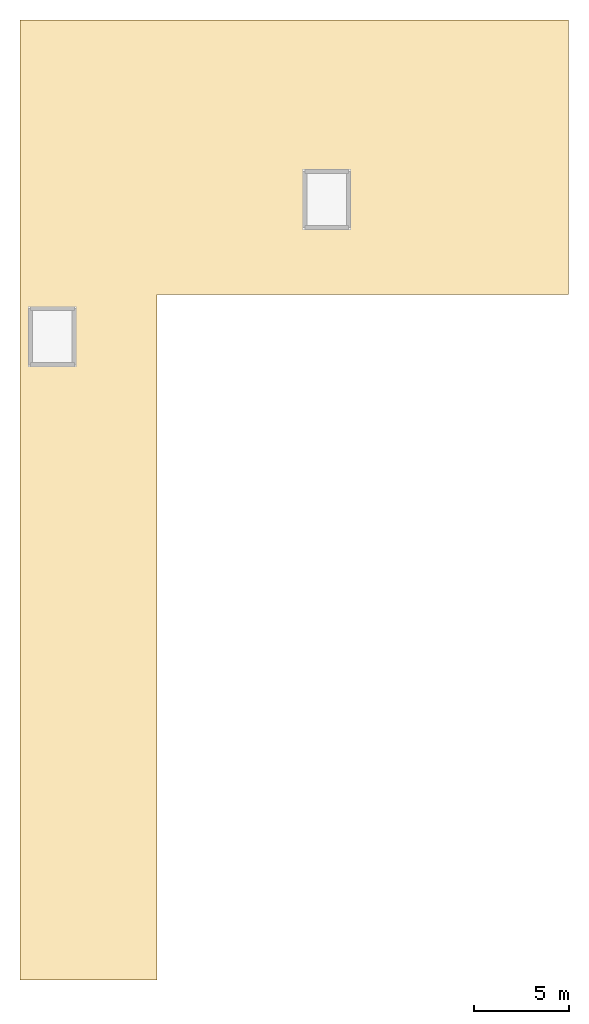
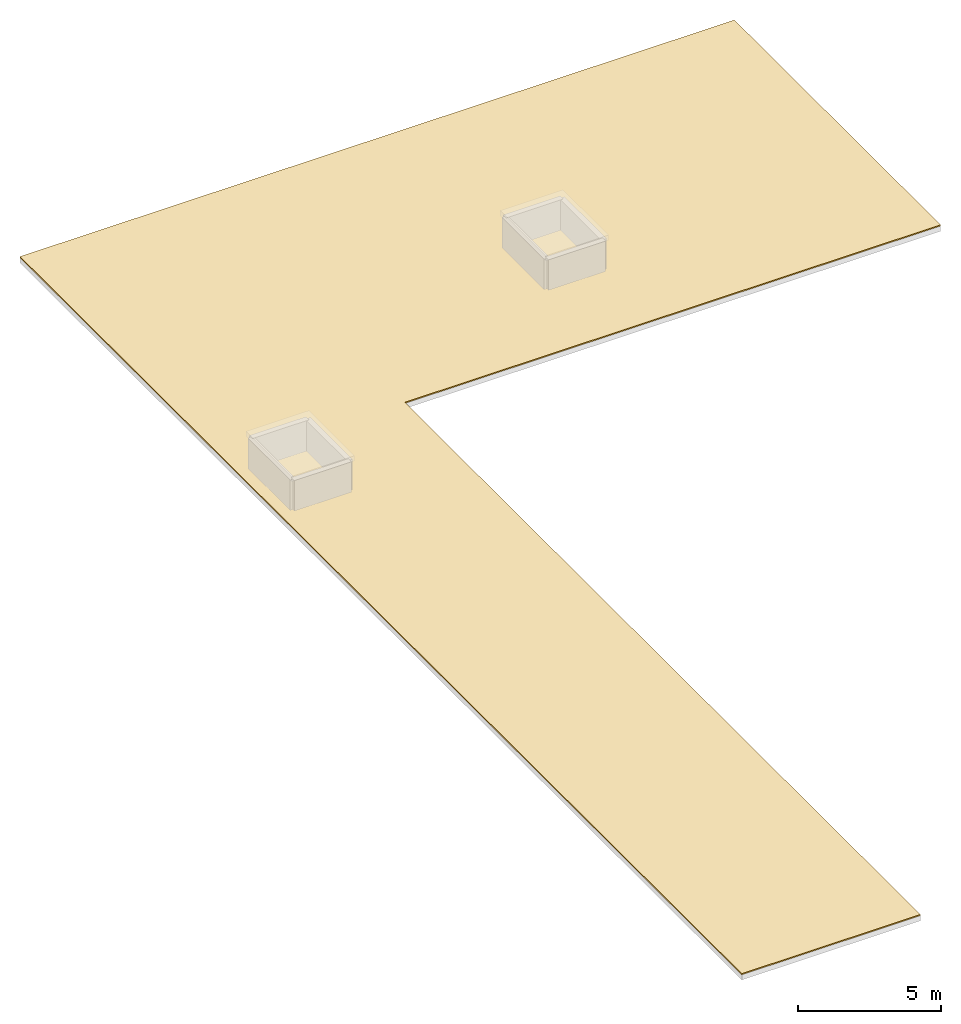
# One storey, part 2 of 2: 1 covering.
"""IFC4 building model written with IfcOpenShell, lengths in metres."""

from ifc_helpers import new_model, si_unit, direction, frame, origin, place, context, subcontext, project, spatial, polyline, outline, extrude, material, layer, layer_set, type_object, element, save


model = new_model("IFC4")

# Units and contexts
model_context = context("Model", 3, precision=1e-05, world=origin(), true_north=direction((0.0, 1.0)))
body_context = subcontext(model_context, "Body", "Model", "MODEL_VIEW")
ifc_project = project(units=[si_unit("LENGTHUNIT", "METRE"), si_unit("AREAUNIT", "SQUARE_METRE"), si_unit("VOLUMEUNIT", "CUBIC_METRE"), si_unit("PLANEANGLEUNIT", "RADIAN"), si_unit("MASSUNIT", "GRAM", prefix="KILO")], contexts=[model_context])

# Site, building, storey
site_placement = place(None, origin())
site = spatial("IfcSite", under=ifc_project, at=site_placement, CompositionType="ELEMENT")
building_placement = place(site_placement, origin())
building = spatial("IfcBuilding", under=site, at=building_placement, Name="Aldebral Square Health Centre", CompositionType="ELEMENT")
storey_placement = place(building_placement, frame((0.0, 0.0, 25.64990234375)))
storey = spatial("IfcBuildingStorey", under=building, at=storey_placement, Name="ROOF", CompositionType="ELEMENT", Elevation=25.64990234375)

# Covering
ifc_material = material(Name="Reflective insulated membrane roofing")
ifc_layer = layer(ifc_material, 0.050048828125, Name="Reflective insulated membrane roofing")
ifc_layer_set = layer_set([ifc_layer], Name="Reflective insulated membrane roofing")
covering_type = type_object("IfcCoveringType", Name="COV-RF-50", PredefinedType="ROOFING", material=ifc_layer_set)
covering_placement = place(storey_placement, origin())
element("IfcCovering", 1, at=covering_placement, inside=storey, type_object=covering_type, Name="L05 V4 roof slab 1 insulated roof membrane", PredefinedType="ROOFING", context=body_context, shape_type="SweptSolid", body=[
    extrude(outline(polyline([(0.0, 72.0), (0.0, 79.199951171875), (0.0, 86.39990234375), (0.0, 93.60009765625), (0.0, 100.800048828125), (0.0, 108.0), (0.0, 115.199951171875), (7.199951171875, 115.199951171875), (14.39990234375, 115.199951171875), (21.60009765625, 115.199951171875), (28.800048828125, 115.199951171875), (28.800048828125, 108.0), (28.800048828125, 100.800048828125), (21.60009765625, 100.800048828125), (14.39990234375, 100.800048828125), (7.199951171875, 100.800048828125), (7.199951171875, 93.60009765625), (7.199951171875, 86.39990234375), (7.199951171875, 79.199951171875), (7.199951171875, 72.0), (7.199951171875, 64.800048828125), (0.0, 64.800048828125), (0.0, 72.0)])), origin(), (0.0, 0.0, 1.0), 0.050048828125),
])

save(model, "model.ifc")
